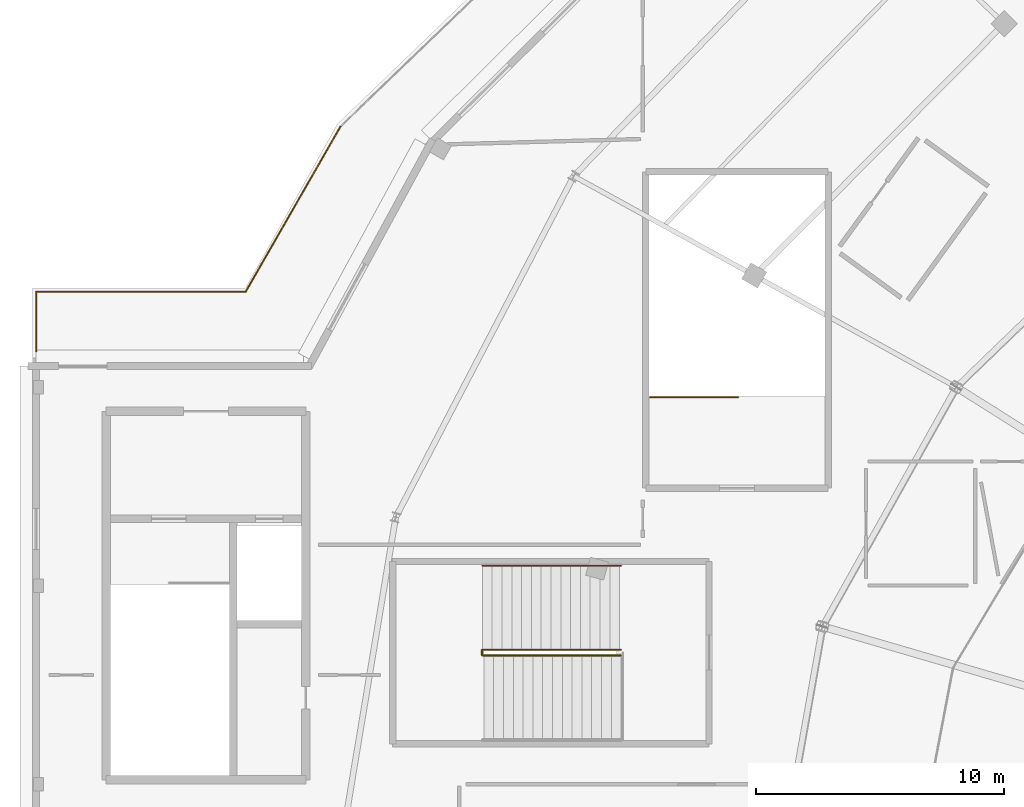
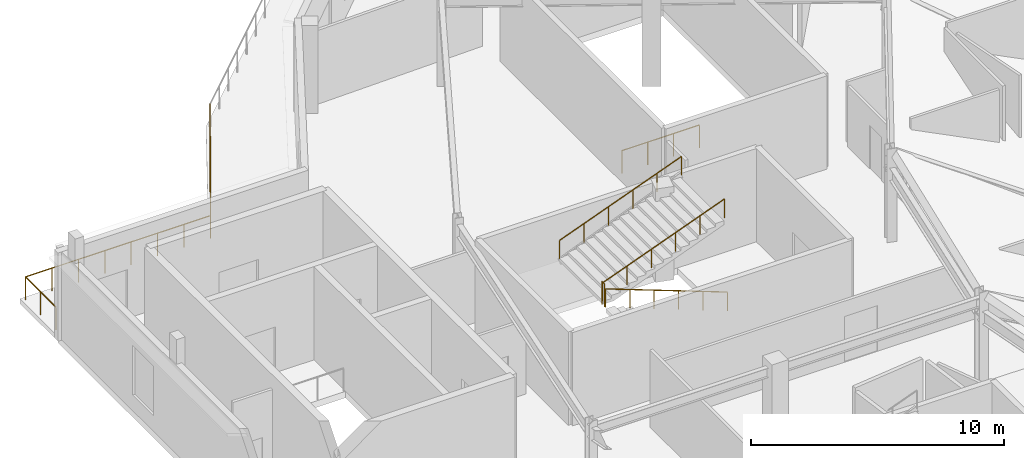
# One storey, part 53 of 63: 8 railings.
"""IFC4 building model written with IfcOpenShell, lengths in metres."""

from ifc_helpers import new_model, si_unit, direction, frame, origin, origin_2d, place, context, subcontext, project, spatial, circle, extrude, material, type_object, element, save


model = new_model("IFC4")

# Units and contexts
model_context = context("Model", 3, precision=1e-05, world=origin(), true_north=direction((0.0, 1.0)))
body_context = subcontext(model_context, "Body", "Model", "MODEL_VIEW")
ifc_project = project(units=[si_unit("LENGTHUNIT", "METRE"), si_unit("AREAUNIT", "SQUARE_METRE"), si_unit("VOLUMEUNIT", "CUBIC_METRE"), si_unit("PLANEANGLEUNIT", "RADIAN"), si_unit("MASSUNIT", "GRAM", prefix="KILO")], contexts=[model_context])

# Site, building, storey
site_placement = place(None, origin())
site = spatial("IfcSite", under=ifc_project, at=site_placement, CompositionType="ELEMENT")
building_placement = place(site_placement, origin())
building = spatial("IfcBuilding", under=site, at=building_placement, Name="Kalgoora Escarpment Arena", CompositionType="ELEMENT")
storey_placement = place(building_placement, frame((0.0, 0.0, 14.39990234375)))
storey = spatial("IfcBuildingStorey", under=building, at=storey_placement, Name="L03", CompositionType="ELEMENT", Elevation=14.39990234375)

# Railings
ifc_material_1 = material(Name="Galvanised & powdercoated tubular steel", Category="steel")
railing_type_1 = type_object("IfcRailingType", Name="RAL-GUARD-1120", PredefinedType="GUARDRAIL", material=ifc_material_1)
railing_1_placement = place(storey_placement, frame((26.52001953125, 73.195068359375, 2.25)))
element("IfcRailing", 1, at=railing_1_placement, inside=storey, type_object=railing_type_1, Name="ST17 L03 half-landing well guard", PredefinedType="GUARDRAIL", context=body_context, shape_type="SweptSolid", body=[
    extrude(circle(Radius=0.02392578125, at=origin_2d()), frame((0.0, 0.0, 1.09619140625), z_axis=(0.0, 1.0, 0.0), x_axis=(-1.0, 0.0, 0.0)), (0.0, 0.0, 1.0), 0.2099609375),
    extrude(circle(Radius=0.02099609375, at=origin_2d()), origin(), (0.0, 0.0, 1.0), 1.072021484375),
    extrude(circle(Radius=0.02099609375, at=origin_2d()), frame((0.0, 0.2099609375, 0.0)), (0.0, 0.0, 1.0), 1.072021484375),
])
railing_2_placement = place(storey_placement, frame((33.31005859375, 83.590087890625, 0.0)))
element("IfcRailing", 2, at=railing_2_placement, inside=storey, type_object=railing_type_1, Name="ST19 top landing well guardrail", PredefinedType="GUARDRAIL", context=body_context, shape_type="SweptSolid", body=[
    extrude(circle(Radius=0.02392578125, at=origin_2d()), frame((0.0, 0.0, 1.09619140625), z_axis=(1.0, 0.0, 0.0), x_axis=(0.0, 1.0, 0.0)), (0.0, 0.0, 1.0), 3.530029296875),
    extrude(circle(Radius=0.02099609375, at=origin_2d()), origin(), (0.0, 0.0, 1.0), 1.072021484375),
    extrude(circle(Radius=0.02099609375, at=origin_2d()), frame((1.1767578125, 0.0, 0.0)), (0.0, 0.0, 1.0), 1.072021484375),
    extrude(circle(Radius=0.02099609375, at=origin_2d()), frame((2.353271484375, 0.0, 0.0)), (0.0, 0.0, 1.0), 1.072021484375),
    extrude(circle(Radius=0.02099609375, at=origin_2d()), frame((3.530029296875, 0.0, 0.0)), (0.0, 0.0, 1.0), 1.072021484375),
])
ifc_material_2 = material(Name="Brushed stainless steel 316 handrail", Category="steel")
railing_type_2 = type_object("IfcRailingType", Name="RAL-HAND-920", PredefinedType="HANDRAIL", material=ifc_material_2)
railing_3_placement = place(storey_placement, frame((32.110107421875, 73.18505859375, 0.110107421875)))
element("IfcRailing", 3, at=railing_3_placement, inside=storey, type_object=railing_type_2, Name="ST17 L03 pitched stair handrail F1R", PredefinedType="HANDRAIL", context=body_context, shape_type="SweptSolid", body=[
    extrude(circle(Radius=0.02392578125, at=origin_2d()), frame((0.0, 0.0, 0.89599609375), z_axis=(-0.935492612948, 0.0, 0.353346248203), x_axis=(0.0, -1.0, 0.0)), (0.0, 0.0, 1.0), 5.943359375),
    extrude(circle(Radius=0.02099609375, at=origin_2d()), origin(), (0.0, 0.0, 1.0), 0.871826171875),
    extrude(circle(Radius=0.02099609375, at=origin_2d()), frame((-1.112060546875, 0.0, 0.419921875)), (0.0, 0.0, 1.0), 0.871826171875),
    extrude(circle(Radius=0.02099609375, at=origin_2d()), frame((-2.22412109375, 0.0, 0.840087890625)), (0.0, 0.0, 1.0), 0.871826171875),
    extrude(circle(Radius=0.02099609375, at=origin_2d()), frame((-3.3359375, 0.0, 1.260009765625)), (0.0, 0.0, 1.0), 0.871826171875),
    extrude(circle(Radius=0.02099609375, at=origin_2d()), frame((-4.447998046875, 0.0, 1.68017578125)), (0.0, 0.0, 1.0), 0.871826171875),
    extrude(circle(Radius=0.02099609375, at=origin_2d()), frame((-5.56005859375, 0.0, 2.10009765625)), (0.0, 0.0, 1.0), 0.871826171875),
])
for number, where, name in (
    (4, (26.550048828125, 73.4150390625, 2.360107421875), "ST17 L03 pitched stair handrail F2L"),
    (5, (26.550048828125, 76.800048828125, 2.360107421875), "ST17 L03 pitched stair handrail F2R"),
):
    element("IfcRailing", number, at=place(storey_placement, frame(where)), inside=storey, type_object=railing_type_2, Name=name, PredefinedType="HANDRAIL", context=body_context, shape_type="SweptSolid", body=[
        extrude(circle(Radius=0.02392578125, at=origin_2d()), frame((0.0, 0.0, 0.89599609375), z_axis=(0.935492612948, 0.0, 0.353346248203), x_axis=(0.0, 1.0, 0.0)), (0.0, 0.0, 1.0), 5.943359375),
        extrude(circle(Radius=0.02099609375, at=origin_2d()), origin(), (0.0, 0.0, 1.0), 0.871826171875),
        extrude(circle(Radius=0.02099609375, at=origin_2d()), frame((1.112060546875, 0.0, 0.419921875)), (0.0, 0.0, 1.0), 0.871826171875),
        extrude(circle(Radius=0.02099609375, at=origin_2d()), frame((2.22412109375, 0.0, 0.840087890625)), (0.0, 0.0, 1.0), 0.871826171875),
        extrude(circle(Radius=0.02099609375, at=origin_2d()), frame((3.3359375, 0.0, 1.260009765625)), (0.0, 0.0, 1.0), 0.871826171875),
        extrude(circle(Radius=0.02099609375, at=origin_2d()), frame((4.447998046875, 0.0, 1.68017578125)), (0.0, 0.0, 1.0), 0.871826171875),
        extrude(circle(Radius=0.02099609375, at=origin_2d()), frame((5.56005859375, 0.0, 2.10009765625)), (0.0, 0.0, 1.0), 0.871826171875),
    ])
ifc_material_3 = material(Name="Champagne anodised aluminium & laminated glass", Category="aluminium")
railing_type_3 = type_object("IfcRailingType", Name="RAL-TERR-1100", PredefinedType="GUARDRAIL", material=ifc_material_3)
railing_4_placement = place(storey_placement, frame((8.56005859375, 85.449951171875, 0.0)))
element("IfcRailing", 6, at=railing_4_placement, inside=storey, type_object=railing_type_3, Name="Upper Planted Elliptical Garden Terrace perimeter guardrail 010", PredefinedType="GUARDRAIL", context=body_context, shape_type="SweptSolid", body=[
    extrude(circle(Radius=0.02392578125, at=origin_2d()), frame((0.0, 0.0, 1.09619140625), z_axis=(0.0, 1.0, 0.0), x_axis=(-1.0, 0.0, 0.0)), (0.0, 0.0, 1.0), 2.39013671875),
    extrude(circle(Radius=0.02099609375, at=origin_2d()), origin(), (0.0, 0.0, 1.0), 1.072021484375),
    extrude(circle(Radius=0.02099609375, at=origin_2d()), frame((0.0, 1.195068359375, 0.0)), (0.0, 0.0, 1.0), 1.072021484375),
    extrude(circle(Radius=0.02099609375, at=origin_2d()), frame((0.0, 2.39013671875, 0.0)), (0.0, 0.0, 1.0), 1.072021484375),
])
railing_5_placement = place(storey_placement, frame((8.56005859375, 87.840087890625, 0.0)))
element("IfcRailing", 7, at=railing_5_placement, inside=storey, type_object=railing_type_3, Name="Upper Planted Elliptical Garden Terrace perimeter guardrail 011", PredefinedType="GUARDRAIL", context=body_context, shape_type="SweptSolid", body=[
    extrude(circle(Radius=0.02392578125, at=origin_2d()), frame((0.0, 0.0, 1.09619140625), z_axis=(1.0, 0.0, 0.0), x_axis=(0.0, 1.0, 0.0)), (0.0, 0.0, 1.0), 8.434326171875),
    extrude(circle(Radius=0.02099609375, at=origin_2d()), origin(), (0.0, 0.0, 1.0), 1.072021484375),
    extrude(circle(Radius=0.02099609375, at=origin_2d()), frame((1.204833984375, 0.0, 0.0)), (0.0, 0.0, 1.0), 1.072021484375),
    extrude(circle(Radius=0.02099609375, at=origin_2d()), frame((2.409912109375, 0.0, 0.0)), (0.0, 0.0, 1.0), 1.072021484375),
    extrude(circle(Radius=0.02099609375, at=origin_2d()), frame((3.61474609375, 0.0, 0.0)), (0.0, 0.0, 1.0), 1.072021484375),
    extrude(circle(Radius=0.02099609375, at=origin_2d()), frame((4.819580078125, 0.0, 0.0)), (0.0, 0.0, 1.0), 1.072021484375),
    extrude(circle(Radius=0.02099609375, at=origin_2d()), frame((6.0244140625, 0.0, 0.0)), (0.0, 0.0, 1.0), 1.072021484375),
    extrude(circle(Radius=0.02099609375, at=origin_2d()), frame((7.2294921875, 0.0, 0.0)), (0.0, 0.0, 1.0), 1.072021484375),
    extrude(circle(Radius=0.02099609375, at=origin_2d()), frame((8.434326171875, 0.0, 0.0)), (0.0, 0.0, 1.0), 1.072021484375),
])
railing_6_placement = place(storey_placement, frame((16.994384765625, 87.840087890625, 0.0)))
element("IfcRailing", 8, at=railing_6_placement, inside=storey, type_object=railing_type_3, Name="Upper Planted Elliptical Garden Terrace perimeter guardrail 012", PredefinedType="GUARDRAIL", context=body_context, shape_type="SweptSolid", body=[
    extrude(circle(Radius=0.02392578125, at=origin_2d()), frame((0.0, 0.0, 1.09619140625), z_axis=(0.498129544595, 0.86710262184, 0.0), x_axis=(-0.86710262184, 0.498129544595, 0.0)), (0.0, 0.0, 1.0), 7.68212890625),
    extrude(circle(Radius=0.02099609375, at=origin_2d()), origin(), (0.0, 0.0, 1.0), 1.072021484375),
    extrude(circle(Radius=0.02099609375, at=origin_2d()), frame((0.6376953125, 1.110107421875, 0.0)), (0.0, 0.0, 1.0), 1.072021484375),
    extrude(circle(Radius=0.02099609375, at=origin_2d()), frame((1.275634765625, 2.220458984375, 0.0)), (0.0, 0.0, 1.0), 1.072021484375),
    extrude(circle(Radius=0.02099609375, at=origin_2d()), frame((1.913330078125, 3.33056640625, 0.0)), (0.0, 0.0, 1.0), 1.072021484375),
    extrude(circle(Radius=0.02099609375, at=origin_2d()), frame((2.551025390625, 4.440673828125, 0.0)), (0.0, 0.0, 1.0), 1.072021484375),
    extrude(circle(Radius=0.02099609375, at=origin_2d()), frame((3.18896484375, 5.551025390625, 0.0)), (0.0, 0.0, 1.0), 1.072021484375),
    extrude(circle(Radius=0.02099609375, at=origin_2d()), frame((3.82666015625, 6.6611328125, 0.0)), (0.0, 0.0, 1.0), 1.072021484375),
])

save(model, "model.ifc")
